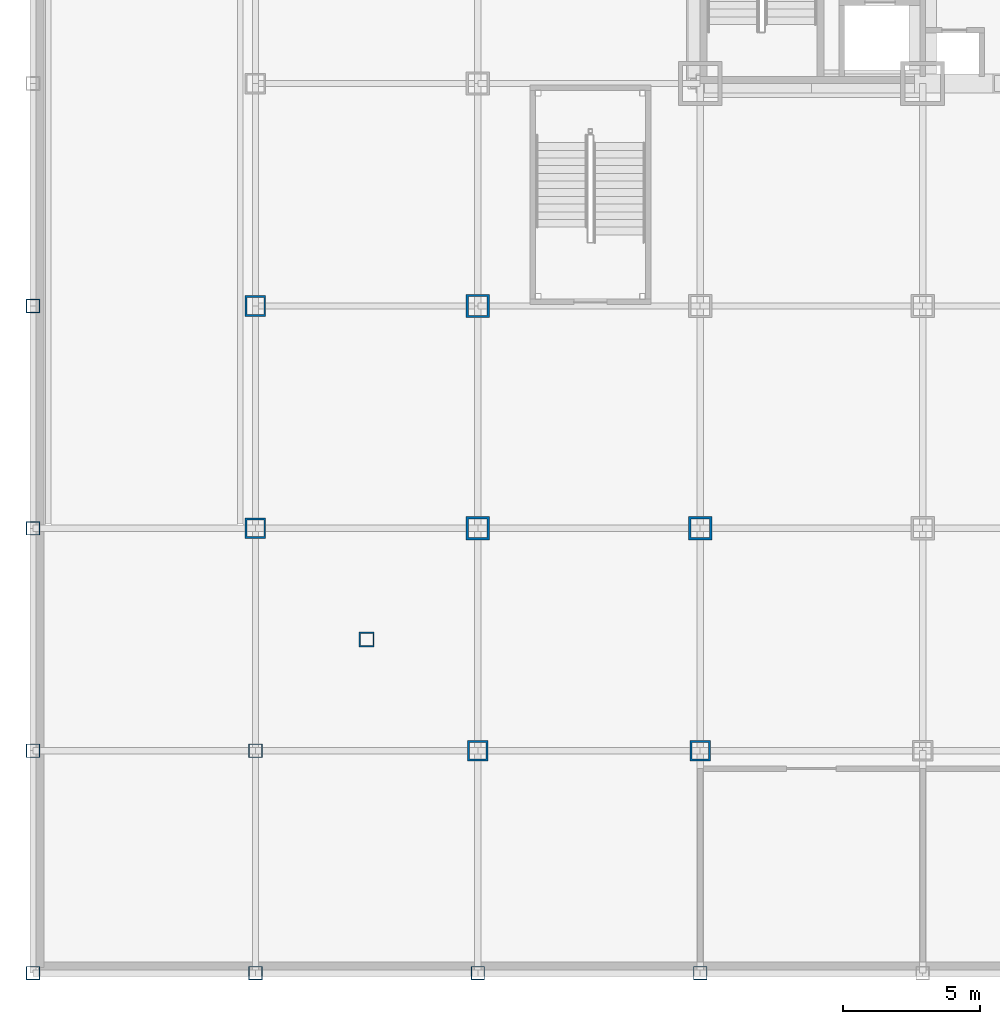
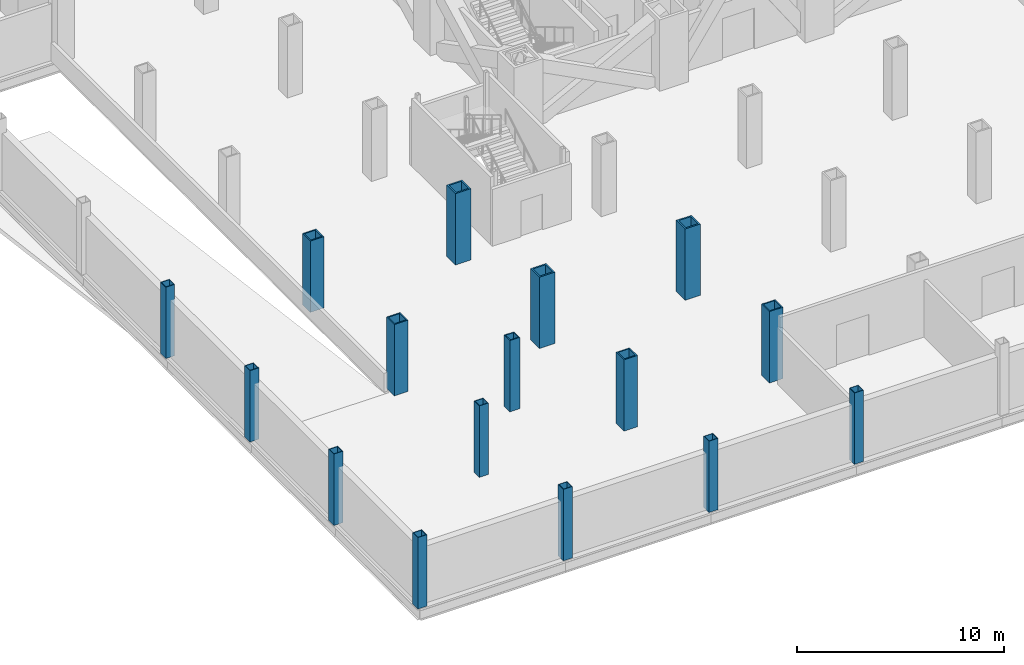
# One storey, part 1 of 14: 16 columns.
"""IFC4 building model written with IfcOpenShell, lengths in metres."""

from ifc_helpers import new_model, si_unit, direction, frame, origin, origin_2d, place, context, subcontext, project, spatial, hollow_rectangle, extrude, material, material_profile, profile_set, type_object, element, save


model = new_model("IFC4")

# Units and contexts
model_context = context("Model", 3, precision=1e-05, world=origin(), true_north=direction((0.0, 1.0)))
body_context = subcontext(model_context, "Body", "Model", "MODEL_VIEW")
ifc_project = project(units=[si_unit("LENGTHUNIT", "METRE"), si_unit("AREAUNIT", "SQUARE_METRE"), si_unit("VOLUMEUNIT", "CUBIC_METRE"), si_unit("PLANEANGLEUNIT", "RADIAN"), si_unit("MASSUNIT", "GRAM", prefix="KILO")], contexts=[model_context])

# Site, building, storey
site_placement = place(None, origin())
site = spatial("IfcSite", under=ifc_project, at=site_placement, CompositionType="ELEMENT")
building_placement = place(site_placement, origin())
building = spatial("IfcBuilding", under=site, at=building_placement, Name="Kopane Lantern Tower", CompositionType="ELEMENT")
storey_placement = place(building_placement, frame((0.0, 0.0, -4.199951171875)))
storey = spatial("IfcBuildingStorey", under=building, at=storey_placement, Name="L-01", CompositionType="ELEMENT", Elevation=-4.199951171875)

# Columns
ifc_material_1 = material(Name="Steel S355JR", Category="steel")
ifc_material_profile_1 = material_profile(ifc_material_1, hollow_rectangle(XDim=0.5, YDim=0.5, WallThickness=0.030029296875, at=origin_2d()), Name="BOX 500x500x30")
ifc_profile_set_1 = profile_set([ifc_material_profile_1], Name="Steel S355JR")
column_type_1 = type_object("IfcColumnType", Name="COLUMN BOX 500x500x30", PredefinedType="COLUMN", material=ifc_profile_set_1)
for number, where, z_axis, x_axis, name in (
    (1, (-8.10009765625, -8.10009765625, 0.0), (0.0, 0.0, 1.0), (1.0, 0.0, 0.0), "Column 1/A L-01"),
    (2, (-8.10009765625, 0.0, 0.0), (0.0, 0.0, 1.0), (1.0, 0.0, 0.0), "Column 1/B L-01"),
    (3, (-8.10009765625, 8.10009765625, 0.0), (0.0, 0.0, 1.0), (1.0, 0.0, 0.0), "Column 1/C L-01"),
    (4, (-8.10009765625, 16.199951171875, 0.0), (0.0, 0.0, 1.0), (1.0, 0.0, 0.0), "Column 1/D L-01"),
    (5, (0.0, -8.10009765625, 0.0), (0.0, 0.0, 1.0), (1.0, 0.0, 0.0), "Column 2/A L-01"),
    (6, (0.0, 0.0, 0.0), (0.0, 0.0, 1.0), (1.0, 0.0, 0.0), "Column 2/B L-01"),
    (7, (8.10009765625, -8.10009765625, 0.0), (0.0, 0.0, 1.0), (1.0, 0.0, 0.0), "Column 3/A L-01"),
    (8, (16.199951171875, -8.10009765625, 0.0), (0.0, 0.0, 1.0), (1.0, 0.0, 0.0), "Column 4/A L-01"),
):
    element("IfcColumn", number, at=place(storey_placement, frame(where, z_axis=z_axis, x_axis=x_axis)), inside=storey, type_object=column_type_1, Name=name, PredefinedType="COLUMN", context=body_context, shape_type="SweptSolid", body=[
        extrude(hollow_rectangle(XDim=0.5, YDim=0.5, WallThickness=0.030029296875, at=origin_2d()), origin(), (0.0, 0.0, 1.0), 4.199951171875),
    ])
ifc_material_2 = material(Name="Steel S355JR", Category="steel")
ifc_material_profile_2 = material_profile(ifc_material_2, hollow_rectangle(XDim=0.550048828125, YDim=0.550048828125, WallThickness=0.050048828125, at=origin_2d()), Name="BOX 550x550x50")
ifc_profile_set_2 = profile_set([ifc_material_profile_2], Name="Steel S355JR")
column_type_2 = type_object("IfcColumnType", Name="COLUMN BOX 550x550x50", PredefinedType="COLUMN", material=ifc_profile_set_2)
column_placement = place(storey_placement, frame((4.050048828125, 4.050048828125, 0.0), z_axis=(0.0, 0.0, 1.0), x_axis=(1.0, 0.0, 0.0)))
element("IfcColumn", 9, at=column_placement, inside=storey, type_object=column_type_2, Name="Column 4.05/4.05 L-01", PredefinedType="COLUMN", context=body_context, shape_type="SweptSolid", body=[
    extrude(hollow_rectangle(XDim=0.550048828125, YDim=0.550048828125, WallThickness=0.050048828125, at=origin_2d()), origin(), (0.0, 0.0, 1.0), 4.199951171875),
])
ifc_material_3 = material(Name="Steel S355JR", Category="steel")
ifc_material_profile_3 = material_profile(ifc_material_3, hollow_rectangle(XDim=0.75, YDim=0.75, WallThickness=0.070068359375, at=origin_2d()), Name="BOX 750x750x70")
ifc_profile_set_3 = profile_set([ifc_material_profile_3], Name="Steel S355JR")
column_type_3 = type_object("IfcColumnType", Name="COLUMN BOX 750x750x70", PredefinedType="COLUMN", material=ifc_profile_set_3)
for number, where, z_axis, x_axis, name in (
    (10, (0.0, 8.10009765625, 0.0), (0.0, 0.0, 1.0), (1.0, 0.0, 0.0), "Column 2/C L-01"),
    (11, (0.0, 16.199951171875, 0.0), (0.0, 0.0, 1.0), (1.0, 0.0, 0.0), "Column 2/D L-01"),
    (12, (8.10009765625, 0.0, 0.0), (0.0, 0.0, 1.0), (1.0, 0.0, 0.0), "Column 3/B L-01"),
    (13, (16.199951171875, 0.0, 0.0), (0.0, 0.0, 1.0), (1.0, 0.0, 0.0), "Column 4/B L-01"),
):
    element("IfcColumn", number, at=place(storey_placement, frame(where, z_axis=z_axis, x_axis=x_axis)), inside=storey, type_object=column_type_3, Name=name, PredefinedType="COLUMN", context=body_context, shape_type="SweptSolid", body=[
        extrude(hollow_rectangle(XDim=0.75, YDim=0.75, WallThickness=0.070068359375, at=origin_2d()), origin(), (0.0, 0.0, 1.0), 4.199951171875),
    ])
ifc_material_4 = material(Name="Steel S355JR", Category="steel")
ifc_material_profile_4 = material_profile(ifc_material_4, hollow_rectangle(XDim=0.85009765625, YDim=0.85009765625, WallThickness=0.0849609375, at=origin_2d()), Name="BOX 850x850x85")
ifc_profile_set_4 = profile_set([ifc_material_profile_4], Name="Steel S355JR")
column_type_4 = type_object("IfcColumnType", Name="COLUMN BOX 850x850x85", PredefinedType="COLUMN", material=ifc_profile_set_4)
for number, where, z_axis, x_axis, name in (
    (14, (8.10009765625, 8.10009765625, 0.0), (0.0, 0.0, 1.0), (1.0, 0.0, 0.0), "Column 3/C L-01"),
    (15, (8.10009765625, 16.199951171875, 0.0), (0.0, 0.0, 1.0), (1.0, 0.0, 0.0), "Column 3/D L-01"),
    (16, (16.199951171875, 8.10009765625, 0.0), (0.0, 0.0, 1.0), (1.0, 0.0, 0.0), "Column 4/C L-01"),
):
    element("IfcColumn", number, at=place(storey_placement, frame(where, z_axis=z_axis, x_axis=x_axis)), inside=storey, type_object=column_type_4, Name=name, PredefinedType="COLUMN", context=body_context, shape_type="SweptSolid", body=[
        extrude(hollow_rectangle(XDim=0.85009765625, YDim=0.85009765625, WallThickness=0.0849609375, at=origin_2d()), origin(), (0.0, 0.0, 1.0), 4.199951171875),
    ])

save(model, "model.ifc")
